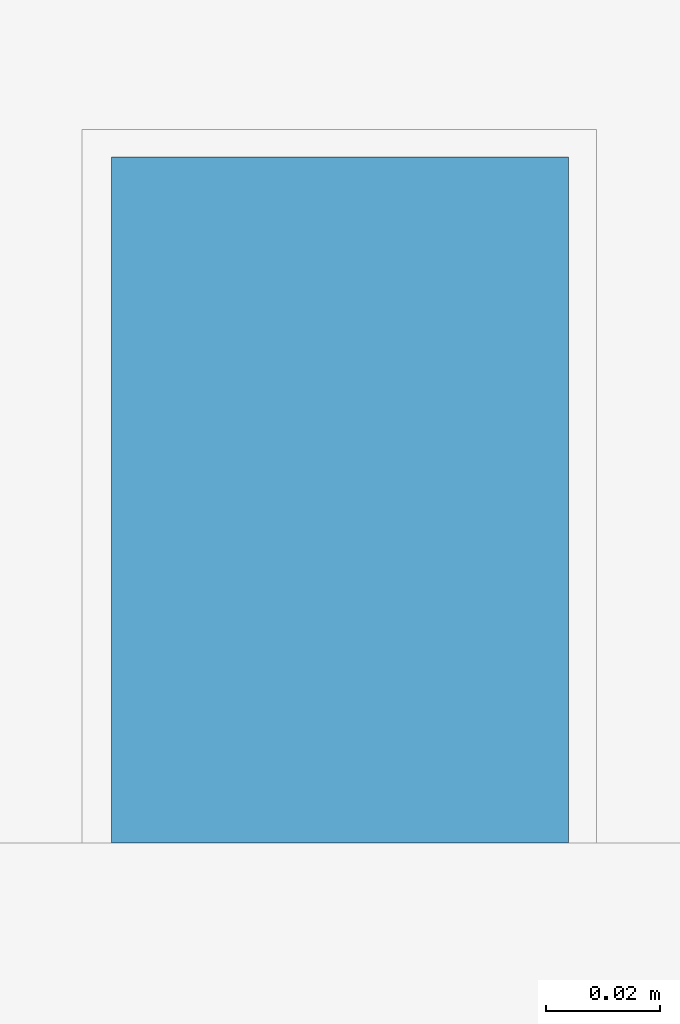
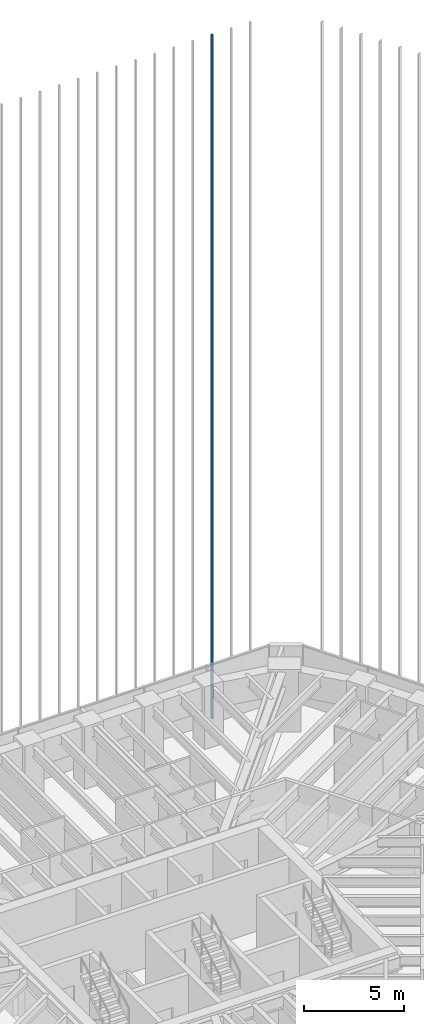
# One storey, part 107 of 127: 1 member, 1 element without a shape of its own.
"""IFC4 building model written with IfcOpenShell, lengths in metres."""

from ifc_helpers import new_model, si_unit, direction, frame, origin, origin_2d, place, context, subcontext, project, spatial, rectangle, extrude, material, material_profile, profile_set, type_object, element, aggregate, save


model = new_model("IFC4")

# Units and contexts
model_context = context("Model", 3, precision=1e-05, world=origin(), true_north=direction((0.0, 1.0)))
body_context = subcontext(model_context, "Body", "Model", "MODEL_VIEW")
ifc_project = project(units=[si_unit("LENGTHUNIT", "METRE"), si_unit("AREAUNIT", "SQUARE_METRE"), si_unit("VOLUMEUNIT", "CUBIC_METRE"), si_unit("PLANEANGLEUNIT", "RADIAN"), si_unit("MASSUNIT", "GRAM", prefix="KILO")], contexts=[model_context])

# Site, building, storey
site_placement = place(None, origin())
site = spatial("IfcSite", under=ifc_project, at=site_placement, CompositionType="ELEMENT")
building_placement = place(site_placement, origin())
building = spatial("IfcBuilding", under=site, at=building_placement, Name="Sandreach Pilgrim Tower", CompositionType="ELEMENT")
storey_placement = place(building_placement, frame((0.0, 0.0, 257.0)))
storey = spatial("IfcBuildingStorey", under=building, at=storey_placement, Name="L64", CompositionType="ELEMENT", Elevation=257.0)

# Curtain wall, member
ifc_material_1 = material(Name="Aluminium framed curtain wall", Category="aluminium")
curtain_wall_type = type_object("IfcCurtainWallType", Name="Suite tower curtain wall", PredefinedType="NOTDEFINED", material=ifc_material_1)
curtain_wall_placement = place(storey_placement, origin())
curtain_wall = element("IfcCurtainWall", 1, at=curtain_wall_placement, inside=storey, type_object=curtain_wall_type, Name="CW-4 L64 N", PredefinedType="NOTDEFINED")
ifc_material_2 = material(Name="Extruded terracotta on aluminium core", Category="masonry")
ifc_material_profile = material_profile(ifc_material_2, rectangle(XDim=0.080078125, YDim=0.1201171875, at=origin_2d()), Name="TBN 80X120")
ifc_profile_set = profile_set([ifc_material_profile], Name="Extruded terracotta on aluminium core")
member_type = type_object("IfcMemberType", Name="Terracotta baguette north", PredefinedType="USERDEFINED", material=ifc_profile_set)
member_placement = place(storey_placement, frame((13.205078125, 20.1865234375, 0.0), z_axis=(0.0, 0.0, 1.0), x_axis=(1.0, 0.0, 0.0)))
member = element("IfcMember", 2, at=member_placement, type_object=member_type, Name="Baguette Z4 N27", ObjectType="BAGUETTE", PredefinedType="USERDEFINED", context=body_context, shape_type="SweptSolid", body=[
    extrude(rectangle(XDim=0.080078125, YDim=0.1201171875, at=origin_2d()), origin(), (0.0, 0.0, 1.0), 41.639892578125),
])
aggregate(curtain_wall, [member])

save(model, "model.ifc")
